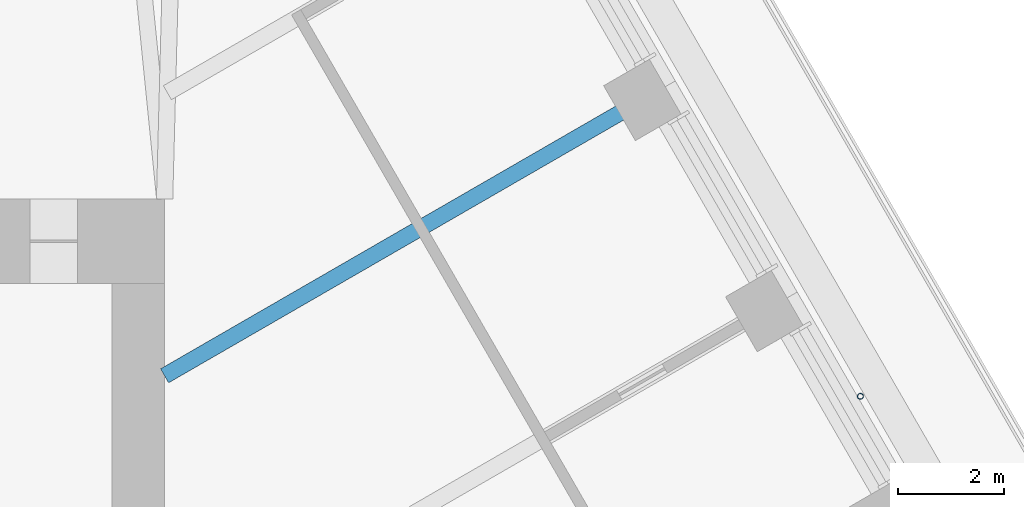
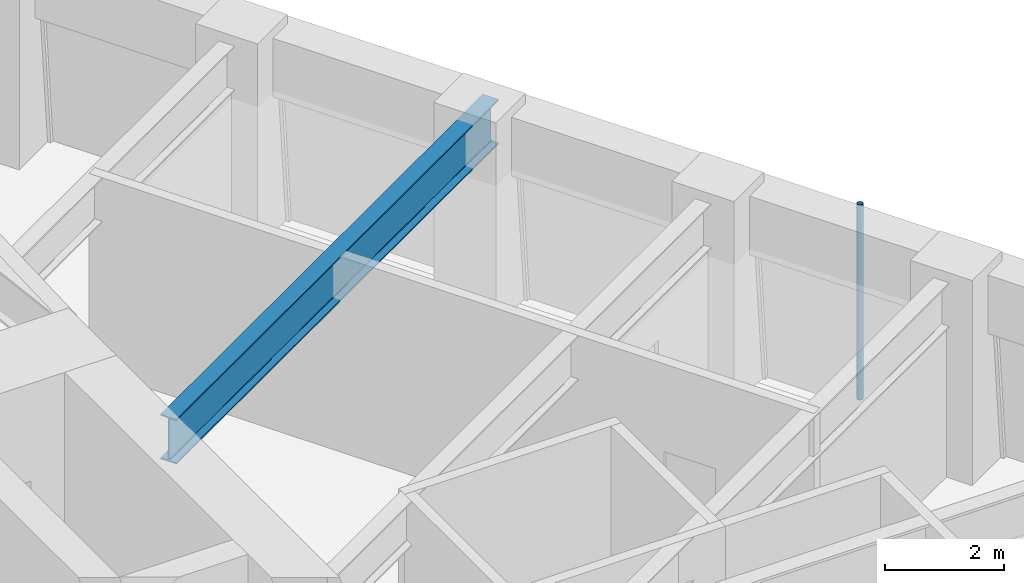
# One storey, part 10 of 20: 1 beam, 1 member.
"""IFC4 building model written with IfcOpenShell, lengths in metres."""

from ifc_helpers import new_model, si_unit, direction, frame, origin, origin_2d, place, context, subcontext, project, spatial, hollow_circle, i_section, extrude, material, material_profile, profile_set, type_object, element, save


model = new_model("IFC4")

# Units and contexts
model_context = context("Model", 3, precision=1e-05, world=origin(), true_north=direction((0.0, 1.0)))
body_context = subcontext(model_context, "Body", "Model", "MODEL_VIEW")
ifc_project = project(units=[si_unit("LENGTHUNIT", "METRE"), si_unit("AREAUNIT", "SQUARE_METRE"), si_unit("VOLUMEUNIT", "CUBIC_METRE"), si_unit("PLANEANGLEUNIT", "RADIAN"), si_unit("MASSUNIT", "GRAM", prefix="KILO")], contexts=[model_context])

# Site, building, storey
site_placement = place(None, origin())
site = spatial("IfcSite", under=ifc_project, at=site_placement, CompositionType="ELEMENT")
building_placement = place(site_placement, origin())
building = spatial("IfcBuilding", under=site, at=building_placement, Name="Tarfa Lantern Tower", CompositionType="ELEMENT")
storey_placement = place(building_placement, frame((0.0, 0.0, 261.699951171875)))
storey = spatial("IfcBuildingStorey", under=building, at=storey_placement, Name="L59", CompositionType="ELEMENT", Elevation=261.699951171875)

# Member
ifc_material_1 = material(Name="Steel S355", Category="steel")
ifc_material_profile_1 = material_profile(ifc_material_1, hollow_circle(Radius=0.05712890625, WallThickness=0.00634765625, at=origin_2d()), Name="CHS114.3x6.3")
ifc_profile_set_1 = profile_set([ifc_material_profile_1], Name="Steel S355")
member_type = type_object("IfcMemberType", Name="TR1 GREEN WALL TRELLIS CHS114.3x6.3", PredefinedType="USERDEFINED", material=ifc_profile_set_1)
member_placement = place(storey_placement, frame((28.682861328125, 8.56005859375, 0.0), z_axis=(0.0, 0.0, 1.0), x_axis=(1.0, 0.0, 0.0)))
element("IfcMember", 1, at=member_placement, inside=storey, type_object=member_type, Name="Trellis post NE 1", ObjectType="TRELLIS", PredefinedType="USERDEFINED", context=body_context, shape_type="SweptSolid", body=[
    extrude(hollow_circle(Radius=0.05712890625, WallThickness=0.00634765625, at=origin_2d()), origin(), (0.0, 0.0, 1.0), 4.0),
])

# Beam
ifc_material_2 = material(Name="Steel S460M", Category="steel")
ifc_material_profile_2 = material_profile(ifc_material_2, i_section(OverallWidth=0.305419921875, OverallDepth=0.91845703125, WebThickness=0.017333984375, FlangeThickness=0.02783203125, FilletRadius=0.01904296875, at=origin_2d()), Name="UB914x305x253")
ifc_profile_set_2 = profile_set([ifc_material_profile_2], Name="Steel S460M")
beam_type = type_object("IfcBeamType", Name="UB914x305x253", PredefinedType="BEAM", material=ifc_profile_set_2)
beam_placement = place(storey_placement, frame((24.872314453125, 14.360107421875, 3.540771484375), z_axis=(-0.8660244219, -0.500001700669, 0.0), x_axis=(0.500001700669, -0.8660244219, 0.0)))
element("IfcBeam", 2, at=beam_placement, inside=storey, type_object=beam_type, Name="Floor beam NE3", PredefinedType="BEAM", context=body_context, shape_type="SweptSolid", body=[
    extrude(i_section(OverallWidth=0.305419921875, OverallDepth=0.91845703125, WebThickness=0.017333984375, FlangeThickness=0.02783203125, FilletRadius=0.01904296875, at=origin_2d()), origin(), (0.0, 0.0, 1.0), 10.822265625),
])

save(model, "model.ifc")
